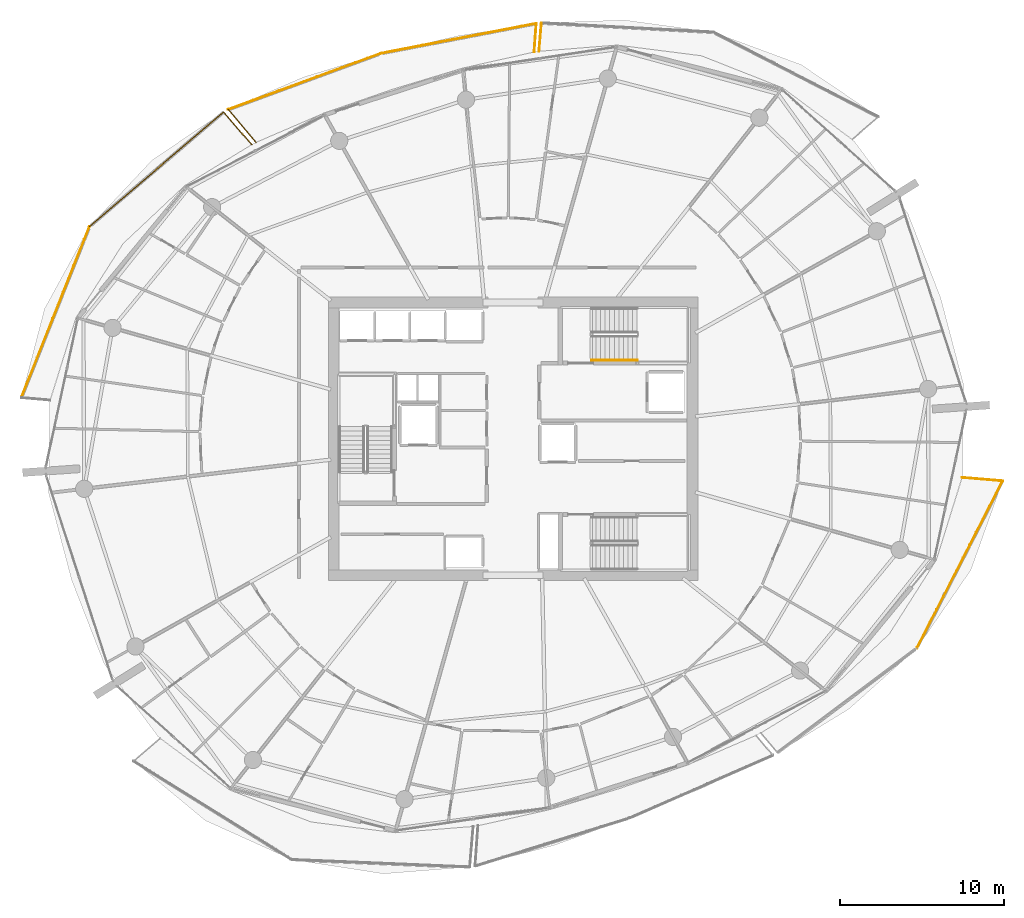
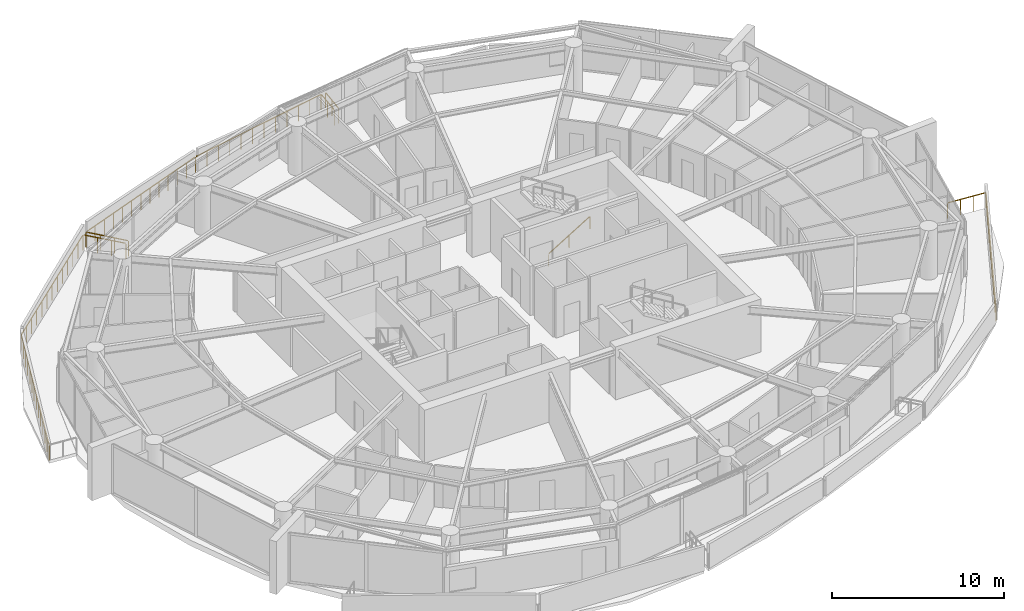
# One storey, part 20 of 21: 11 railings.
"""IFC4 building model written with IfcOpenShell, lengths in metres."""

from ifc_helpers import new_model, si_unit, direction, frame, origin, origin_2d, place, context, subcontext, project, spatial, rectangle, extrude, material, type_object, element, save


model = new_model("IFC4")

# Units and contexts
model_context = context("Model", 3, precision=1e-05, world=origin(), true_north=direction((0.0, 1.0)))
body_context = subcontext(model_context, "Body", "Model", "MODEL_VIEW")
ifc_project = project(units=[si_unit("LENGTHUNIT", "METRE"), si_unit("AREAUNIT", "SQUARE_METRE"), si_unit("VOLUMEUNIT", "CUBIC_METRE"), si_unit("PLANEANGLEUNIT", "RADIAN"), si_unit("MASSUNIT", "GRAM", prefix="KILO")], contexts=[model_context])

# Site, building, storey
site_placement = place(None, origin())
site = spatial("IfcSite", under=ifc_project, at=site_placement, CompositionType="ELEMENT")
building_placement = place(site_placement, origin())
building = spatial("IfcBuilding", under=site, at=building_placement, Name="Kazma Halo Residences", CompositionType="ELEMENT")
storey_placement = place(building_placement, frame((0.0, 0.0, 176.550048828125)))
storey = spatial("IfcBuildingStorey", under=building, at=storey_placement, Name="L44", CompositionType="ELEMENT", Elevation=176.550048828125)

# Railings
ifc_material_1 = material(Name="Aluminium AW-6063 T6 Brushed Cap Rail", Category="aluminium")
railing_type_1 = type_object("IfcRailingType", Name="RLG-BAL-CAP-1120", PredefinedType="BALUSTRADE", material=ifc_material_1)
railing_1_placement = place(storey_placement, frame((50.15380859375, 67.384521484375, 0.0)))
element("IfcRailing", 1, at=railing_1_placement, inside=storey, type_object=railing_type_1, Name="L44 NE wave balcony guard 4", PredefinedType="BALUSTRADE", context=body_context, shape_type="SweptSolid", body=[
    extrude(rectangle(XDim=0.050048828125, YDim=0.050048828125, at=origin_2d()), frame((-0.003662109375, -0.04248046875, 1.09521484375), z_axis=(-0.084582809101, -0.996416453299, 0.0), x_axis=(0.996416453299, -0.084582809101, 0.0)), (0.0, 0.0, 1.0), 1.649658203125),
    extrude(rectangle(XDim=0.0400390625, YDim=0.0400390625, at=origin_2d()), origin(), (0.0, 0.0, 1.0), 1.05810546875),
    extrude(rectangle(XDim=0.0400390625, YDim=0.0400390625, at=origin_2d()), frame((-0.0732421875, -0.8642578125, 0.0)), (0.0, 0.0, 1.0), 1.05810546875),
    extrude(rectangle(XDim=0.0400390625, YDim=0.0400390625, at=origin_2d()), frame((-0.146728515625, -1.728515625, 0.0)), (0.0, 0.0, 1.0), 1.05810546875),
])
railing_2_placement = place(storey_placement, frame((49.713134765625, 65.612060546875, 0.0)))
element("IfcRailing", 2, at=railing_2_placement, inside=storey, type_object=railing_type_1, Name="L44 NNW wave balcony guard 1", PredefinedType="BALUSTRADE", context=body_context, shape_type="SweptSolid", body=[
    extrude(rectangle(XDim=0.050048828125, YDim=0.050048828125, at=origin_2d()), frame((0.003173828125, 0.04248046875, 1.09521484375), z_axis=(0.072381236499, 0.997377038337, 0.0), x_axis=(-0.997377038337, 0.072381236499, 0.0)), (0.0, 0.0, 1.0), 1.65869140625),
    extrude(rectangle(XDim=0.0400390625, YDim=0.0400390625, at=origin_2d()), origin(), (0.0, 0.0, 1.0), 1.05810546875),
    extrude(rectangle(XDim=0.0400390625, YDim=0.0400390625, at=origin_2d()), frame((0.06298828125, 0.86962890625, 0.0)), (0.0, 0.0, 1.0), 1.05810546875),
    extrude(rectangle(XDim=0.0400390625, YDim=0.0400390625, at=origin_2d()), frame((0.126220703125, 1.7392578125, 0.0)), (0.0, 0.0, 1.0), 1.05810546875),
])
railing_3_placement = place(storey_placement, frame((49.83935546875, 67.351318359375, 0.0)))
element("IfcRailing", 3, at=railing_3_placement, inside=storey, type_object=railing_type_1, Name="L44 NNW wave balcony guard 2", PredefinedType="BALUSTRADE", context=body_context, shape_type="SweptSolid", body=[
    extrude(rectangle(XDim=0.050048828125, YDim=0.050048828125, at=origin_2d()), frame((-0.041748046875, -0.008056640625, 1.09521484375), z_axis=(-0.981918343352, -0.189304957647, 0.0), x_axis=(0.189304957647, -0.981918343352, 0.0)), (0.0, 0.0, 1.0), 9.572021484375),
    extrude(rectangle(XDim=0.0400390625, YDim=0.0400390625, at=origin_2d()), origin(), (0.0, 0.0, 1.0), 1.05810546875),
    extrude(rectangle(XDim=0.0400390625, YDim=0.0400390625, at=origin_2d()), frame((-0.862060546875, -0.166259765625, 0.0)), (0.0, 0.0, 1.0), 1.05810546875),
    extrude(rectangle(XDim=0.0400390625, YDim=0.0400390625, at=origin_2d()), frame((-1.72412109375, -0.332275390625, 0.0)), (0.0, 0.0, 1.0), 1.05810546875),
    extrude(rectangle(XDim=0.0400390625, YDim=0.0400390625, at=origin_2d()), frame((-2.586181640625, -0.49853515625, 0.0)), (0.0, 0.0, 1.0), 1.05810546875),
    extrude(rectangle(XDim=0.0400390625, YDim=0.0400390625, at=origin_2d()), frame((-3.4482421875, -0.664794921875, 0.0)), (0.0, 0.0, 1.0), 1.05810546875),
    extrude(rectangle(XDim=0.0400390625, YDim=0.0400390625, at=origin_2d()), frame((-4.310302734375, -0.8310546875, 0.0)), (0.0, 0.0, 1.0), 1.05810546875),
    extrude(rectangle(XDim=0.0400390625, YDim=0.0400390625, at=origin_2d()), frame((-5.172119140625, -0.9970703125, 0.0)), (0.0, 0.0, 1.0), 1.05810546875),
    extrude(rectangle(XDim=0.0400390625, YDim=0.0400390625, at=origin_2d()), frame((-6.0341796875, -1.163330078125, 0.0)), (0.0, 0.0, 1.0), 1.05810546875),
    extrude(rectangle(XDim=0.0400390625, YDim=0.0400390625, at=origin_2d()), frame((-6.896240234375, -1.32958984375, 0.0)), (0.0, 0.0, 1.0), 1.05810546875),
    extrude(rectangle(XDim=0.0400390625, YDim=0.0400390625, at=origin_2d()), frame((-7.75830078125, -1.495849609375, 0.0)), (0.0, 0.0, 1.0), 1.05810546875),
    extrude(rectangle(XDim=0.0400390625, YDim=0.0400390625, at=origin_2d()), frame((-8.620361328125, -1.661865234375, 0.0)), (0.0, 0.0, 1.0), 1.05810546875),
    extrude(rectangle(XDim=0.0400390625, YDim=0.0400390625, at=origin_2d()), frame((-9.482421875, -1.828125, 0.0)), (0.0, 0.0, 1.0), 1.05810546875),
])
railing_4_placement = place(storey_placement, frame((40.35693359375, 65.523193359375, 0.0)))
element("IfcRailing", 4, at=railing_4_placement, inside=storey, type_object=railing_type_1, Name="L44 NNW wave balcony guard 3", PredefinedType="BALUSTRADE", context=body_context, shape_type="SweptSolid", body=[
    extrude(rectangle(XDim=0.050048828125, YDim=0.050048828125, at=origin_2d()), frame((-0.0400390625, -0.0146484375, 1.09521484375), z_axis=(-0.938664070995, -0.344832947706, 0.0), x_axis=(0.344832947706, -0.938664070995, 0.0)), (0.0, 0.0, 1.0), 9.83740234375),
    extrude(rectangle(XDim=0.0400390625, YDim=0.0400390625, at=origin_2d()), origin(), (0.0, 0.0, 1.0), 1.05810546875),
    extrude(rectangle(XDim=0.0400390625, YDim=0.0400390625, at=origin_2d()), frame((-0.776123046875, -0.28515625, 0.0)), (0.0, 0.0, 1.0), 1.05810546875),
    extrude(rectangle(XDim=0.0400390625, YDim=0.0400390625, at=origin_2d()), frame((-1.55224609375, -0.5703125, 0.0)), (0.0, 0.0, 1.0), 1.05810546875),
    extrude(rectangle(XDim=0.0400390625, YDim=0.0400390625, at=origin_2d()), frame((-2.32861328125, -0.85546875, 0.0)), (0.0, 0.0, 1.0), 1.05810546875),
    extrude(rectangle(XDim=0.0400390625, YDim=0.0400390625, at=origin_2d()), frame((-3.104736328125, -1.140625, 0.0)), (0.0, 0.0, 1.0), 1.05810546875),
    extrude(rectangle(XDim=0.0400390625, YDim=0.0400390625, at=origin_2d()), frame((-3.880859375, -1.42578125, 0.0)), (0.0, 0.0, 1.0), 1.05810546875),
    extrude(rectangle(XDim=0.0400390625, YDim=0.0400390625, at=origin_2d()), frame((-4.656982421875, -1.7109375, 0.0)), (0.0, 0.0, 1.0), 1.05810546875),
    extrude(rectangle(XDim=0.0400390625, YDim=0.0400390625, at=origin_2d()), frame((-5.43310546875, -1.995849609375, 0.0)), (0.0, 0.0, 1.0), 1.05810546875),
    extrude(rectangle(XDim=0.0400390625, YDim=0.0400390625, at=origin_2d()), frame((-6.209228515625, -2.281005859375, 0.0)), (0.0, 0.0, 1.0), 1.05810546875),
    extrude(rectangle(XDim=0.0400390625, YDim=0.0400390625, at=origin_2d()), frame((-6.9853515625, -2.566162109375, 0.0)), (0.0, 0.0, 1.0), 1.05810546875),
    extrude(rectangle(XDim=0.0400390625, YDim=0.0400390625, at=origin_2d()), frame((-7.76171875, -2.851318359375, 0.0)), (0.0, 0.0, 1.0), 1.05810546875),
    extrude(rectangle(XDim=0.0400390625, YDim=0.0400390625, at=origin_2d()), frame((-8.537841796875, -3.136474609375, 0.0)), (0.0, 0.0, 1.0), 1.05810546875),
    extrude(rectangle(XDim=0.0400390625, YDim=0.0400390625, at=origin_2d()), frame((-9.31396484375, -3.421630859375, 0.0)), (0.0, 0.0, 1.0), 1.05810546875),
])
railing_5_placement = place(storey_placement, frame((31.04296875, 62.1015625, 0.0)))
element("IfcRailing", 5, at=railing_5_placement, inside=storey, type_object=railing_type_1, Name="L44 NNW wave balcony guard 4", PredefinedType="BALUSTRADE", context=body_context, shape_type="SweptSolid", body=[
    extrude(rectangle(XDim=0.050048828125, YDim=0.050048828125, at=origin_2d()), frame((0.02734375, -0.032470703125, 1.09521484375), z_axis=(0.644757158035, -0.764387471877, 0.0), x_axis=(0.764387471877, 0.644757158035, 0.0)), (0.0, 0.0, 1.0), 2.539306640625),
    extrude(rectangle(XDim=0.0400390625, YDim=0.0400390625, at=origin_2d()), origin(), (0.0, 0.0, 1.0), 1.05810546875),
    extrude(rectangle(XDim=0.0400390625, YDim=0.0400390625, at=origin_2d()), frame((0.56396484375, -0.668701171875, 0.0)), (0.0, 0.0, 1.0), 1.05810546875),
    extrude(rectangle(XDim=0.0400390625, YDim=0.0400390625, at=origin_2d()), frame((1.128173828125, -1.33740234375, 0.0)), (0.0, 0.0, 1.0), 1.05810546875),
    extrude(rectangle(XDim=0.0400390625, YDim=0.0400390625, at=origin_2d()), frame((1.692138671875, -2.006103515625, 0.0)), (0.0, 0.0, 1.0), 1.05810546875),
])
railing_6_placement = place(storey_placement, frame((32.471435546875, 59.958251953125, 0.0)))
element("IfcRailing", 6, at=railing_6_placement, inside=storey, type_object=railing_type_1, Name="L44 NW wave balcony guard 1", PredefinedType="BALUSTRADE", context=body_context, shape_type="SweptSolid", body=[
    extrude(rectangle(XDim=0.050048828125, YDim=0.050048828125, at=origin_2d()), frame((-0.02783203125, 0.0322265625, 1.09521484375), z_axis=(-0.654088758008, 0.756417805612, 0.0), x_axis=(-0.756417805612, -0.654088758008, 0.0)), (0.0, 0.0, 1.0), 2.544189453125),
    extrude(rectangle(XDim=0.0400390625, YDim=0.0400390625, at=origin_2d()), origin(), (0.0, 0.0, 1.0), 1.05810546875),
    extrude(rectangle(XDim=0.0400390625, YDim=0.0400390625, at=origin_2d()), frame((-0.5732421875, 0.662841796875, 0.0)), (0.0, 0.0, 1.0), 1.05810546875),
    extrude(rectangle(XDim=0.0400390625, YDim=0.0400390625, at=origin_2d()), frame((-1.146484375, 1.325927734375, 0.0)), (0.0, 0.0, 1.0), 1.05810546875),
    extrude(rectangle(XDim=0.0400390625, YDim=0.0400390625, at=origin_2d()), frame((-1.7197265625, 1.98876953125, 0.0)), (0.0, 0.0, 1.0), 1.05810546875),
])
railing_7_placement = place(storey_placement, frame((30.751708984375, 61.947021484375, 0.0)))
element("IfcRailing", 7, at=railing_7_placement, inside=storey, type_object=railing_type_1, Name="L44 NW wave balcony guard 2", PredefinedType="BALUSTRADE", context=body_context, shape_type="SweptSolid", body=[
    extrude(rectangle(XDim=0.050048828125, YDim=0.050048828125, at=origin_2d()), frame((-0.0322265625, -0.027587890625, 1.09521484375), z_axis=(-0.760234299522, -0.64964898971, 0.0), x_axis=(0.64964898971, -0.760234299522, 0.0)), (0.0, 0.0, 1.0), 10.67529296875),
    extrude(rectangle(XDim=0.0400390625, YDim=0.0400390625, at=origin_2d()), origin(), (0.0, 0.0, 1.0), 1.05810546875),
    extrude(rectangle(XDim=0.0400390625, YDim=0.0400390625, at=origin_2d()), frame((-0.681640625, -0.58251953125, 0.0)), (0.0, 0.0, 1.0), 1.05810546875),
    extrude(rectangle(XDim=0.0400390625, YDim=0.0400390625, at=origin_2d()), frame((-1.36328125, -1.1650390625, 0.0)), (0.0, 0.0, 1.0), 1.05810546875),
    extrude(rectangle(XDim=0.0400390625, YDim=0.0400390625, at=origin_2d()), frame((-2.045166015625, -1.74755859375, 0.0)), (0.0, 0.0, 1.0), 1.05810546875),
    extrude(rectangle(XDim=0.0400390625, YDim=0.0400390625, at=origin_2d()), frame((-2.726806640625, -2.330078125, 0.0)), (0.0, 0.0, 1.0), 1.05810546875),
    extrude(rectangle(XDim=0.0400390625, YDim=0.0400390625, at=origin_2d()), frame((-3.408447265625, -2.91259765625, 0.0)), (0.0, 0.0, 1.0), 1.05810546875),
    extrude(rectangle(XDim=0.0400390625, YDim=0.0400390625, at=origin_2d()), frame((-4.09033203125, -3.4951171875, 0.0)), (0.0, 0.0, 1.0), 1.05810546875),
    extrude(rectangle(XDim=0.0400390625, YDim=0.0400390625, at=origin_2d()), frame((-4.77197265625, -4.077880859375, 0.0)), (0.0, 0.0, 1.0), 1.05810546875),
    extrude(rectangle(XDim=0.0400390625, YDim=0.0400390625, at=origin_2d()), frame((-5.45361328125, -4.660400390625, 0.0)), (0.0, 0.0, 1.0), 1.05810546875),
    extrude(rectangle(XDim=0.0400390625, YDim=0.0400390625, at=origin_2d()), frame((-6.13525390625, -5.242919921875, 0.0)), (0.0, 0.0, 1.0), 1.05810546875),
    extrude(rectangle(XDim=0.0400390625, YDim=0.0400390625, at=origin_2d()), frame((-6.81689453125, -5.825439453125, 0.0)), (0.0, 0.0, 1.0), 1.05810546875),
    extrude(rectangle(XDim=0.0400390625, YDim=0.0400390625, at=origin_2d()), frame((-7.498779296875, -6.407958984375, 0.0)), (0.0, 0.0, 1.0), 1.05810546875),
    extrude(rectangle(XDim=0.0400390625, YDim=0.0400390625, at=origin_2d()), frame((-8.180419921875, -6.990478515625, 0.0)), (0.0, 0.0, 1.0), 1.05810546875),
])
railing_8_placement = place(storey_placement, frame((22.5712890625, 54.95654296875, 0.0)))
element("IfcRailing", 8, at=railing_8_placement, inside=storey, type_object=railing_type_1, Name="L44 NW wave balcony guard 3", PredefinedType="BALUSTRADE", context=body_context, shape_type="SweptSolid", body=[
    extrude(rectangle(XDim=0.050048828125, YDim=0.050048828125, at=origin_2d()), frame((-0.015625, -0.03955078125, 1.09521484375), z_axis=(-0.369783962807, -0.929117764791, 0.0), x_axis=(0.929117764791, -0.369783962807, 0.0)), (0.0, 0.0, 1.0), 11.157958984375),
    extrude(rectangle(XDim=0.0400390625, YDim=0.0400390625, at=origin_2d()), origin(), (0.0, 0.0, 1.0), 1.05810546875),
    extrude(rectangle(XDim=0.0400390625, YDim=0.0400390625, at=origin_2d()), frame((-0.31982421875, -0.803466796875, 0.0)), (0.0, 0.0, 1.0), 1.05810546875),
    extrude(rectangle(XDim=0.0400390625, YDim=0.0400390625, at=origin_2d()), frame((-0.6396484375, -1.607177734375, 0.0)), (0.0, 0.0, 1.0), 1.05810546875),
    extrude(rectangle(XDim=0.0400390625, YDim=0.0400390625, at=origin_2d()), frame((-0.95947265625, -2.41064453125, 0.0)), (0.0, 0.0, 1.0), 1.05810546875),
    extrude(rectangle(XDim=0.0400390625, YDim=0.0400390625, at=origin_2d()), frame((-1.279296875, -3.214111328125, 0.0)), (0.0, 0.0, 1.0), 1.05810546875),
    extrude(rectangle(XDim=0.0400390625, YDim=0.0400390625, at=origin_2d()), frame((-1.59912109375, -4.017822265625, 0.0)), (0.0, 0.0, 1.0), 1.05810546875),
    extrude(rectangle(XDim=0.0400390625, YDim=0.0400390625, at=origin_2d()), frame((-1.9189453125, -4.8212890625, 0.0)), (0.0, 0.0, 1.0), 1.05810546875),
    extrude(rectangle(XDim=0.0400390625, YDim=0.0400390625, at=origin_2d()), frame((-2.238525390625, -5.624755859375, 0.0)), (0.0, 0.0, 1.0), 1.05810546875),
    extrude(rectangle(XDim=0.0400390625, YDim=0.0400390625, at=origin_2d()), frame((-2.558349609375, -6.42822265625, 0.0)), (0.0, 0.0, 1.0), 1.05810546875),
    extrude(rectangle(XDim=0.0400390625, YDim=0.0400390625, at=origin_2d()), frame((-2.878173828125, -7.23193359375, 0.0)), (0.0, 0.0, 1.0), 1.05810546875),
    extrude(rectangle(XDim=0.0400390625, YDim=0.0400390625, at=origin_2d()), frame((-3.197998046875, -8.035400390625, 0.0)), (0.0, 0.0, 1.0), 1.05810546875),
    extrude(rectangle(XDim=0.0400390625, YDim=0.0400390625, at=origin_2d()), frame((-3.517822265625, -8.8388671875, 0.0)), (0.0, 0.0, 1.0), 1.05810546875),
    extrude(rectangle(XDim=0.0400390625, YDim=0.0400390625, at=origin_2d()), frame((-3.837646484375, -9.642578125, 0.0)), (0.0, 0.0, 1.0), 1.05810546875),
    extrude(rectangle(XDim=0.0400390625, YDim=0.0400390625, at=origin_2d()), frame((-4.157470703125, -10.446044921875, 0.0)), (0.0, 0.0, 1.0), 1.05810546875),
])
railing_9_placement = place(storey_placement, frame((73.073974609375, 29.22412109375, 0.0)))
element("IfcRailing", 9, at=railing_9_placement, inside=storey, type_object=railing_type_1, Name="L44 SE wave balcony guard 3", PredefinedType="BALUSTRADE", context=body_context, shape_type="SweptSolid", body=[
    extrude(rectangle(XDim=0.050048828125, YDim=0.050048828125, at=origin_2d()), frame((0.019287109375, 0.037841796875, 1.09521484375), z_axis=(0.456200806957, 0.889876858746, 0.0), x_axis=(-0.889876858746, 0.456200806957, 0.0)), (0.0, 0.0, 1.0), 11.38232421875),
    extrude(rectangle(XDim=0.0400390625, YDim=0.0400390625, at=origin_2d()), origin(), (0.0, 0.0, 1.0), 1.05810546875),
    extrude(rectangle(XDim=0.0400390625, YDim=0.0400390625, at=origin_2d()), frame((0.40234375, 0.784912109375, 0.0)), (0.0, 0.0, 1.0), 1.05810546875),
    extrude(rectangle(XDim=0.0400390625, YDim=0.0400390625, at=origin_2d()), frame((0.804931640625, 1.56982421875, 0.0)), (0.0, 0.0, 1.0), 1.05810546875),
    extrude(rectangle(XDim=0.0400390625, YDim=0.0400390625, at=origin_2d()), frame((1.207275390625, 2.35498046875, 0.0)), (0.0, 0.0, 1.0), 1.05810546875),
    extrude(rectangle(XDim=0.0400390625, YDim=0.0400390625, at=origin_2d()), frame((1.609619140625, 3.139892578125, 0.0)), (0.0, 0.0, 1.0), 1.05810546875),
    extrude(rectangle(XDim=0.0400390625, YDim=0.0400390625, at=origin_2d()), frame((2.01220703125, 3.9248046875, 0.0)), (0.0, 0.0, 1.0), 1.05810546875),
    extrude(rectangle(XDim=0.0400390625, YDim=0.0400390625, at=origin_2d()), frame((2.41455078125, 4.709716796875, 0.0)), (0.0, 0.0, 1.0), 1.05810546875),
    extrude(rectangle(XDim=0.0400390625, YDim=0.0400390625, at=origin_2d()), frame((2.81689453125, 5.494873046875, 0.0)), (0.0, 0.0, 1.0), 1.05810546875),
    extrude(rectangle(XDim=0.0400390625, YDim=0.0400390625, at=origin_2d()), frame((3.21923828125, 6.27978515625, 0.0)), (0.0, 0.0, 1.0), 1.05810546875),
    extrude(rectangle(XDim=0.0400390625, YDim=0.0400390625, at=origin_2d()), frame((3.621826171875, 7.064697265625, 0.0)), (0.0, 0.0, 1.0), 1.05810546875),
    extrude(rectangle(XDim=0.0400390625, YDim=0.0400390625, at=origin_2d()), frame((4.024169921875, 7.849609375, 0.0)), (0.0, 0.0, 1.0), 1.05810546875),
    extrude(rectangle(XDim=0.0400390625, YDim=0.0400390625, at=origin_2d()), frame((4.426513671875, 8.634765625, 0.0)), (0.0, 0.0, 1.0), 1.05810546875),
    extrude(rectangle(XDim=0.0400390625, YDim=0.0400390625, at=origin_2d()), frame((4.8291015625, 9.419677734375, 0.0)), (0.0, 0.0, 1.0), 1.05810546875),
    extrude(rectangle(XDim=0.0400390625, YDim=0.0400390625, at=origin_2d()), frame((5.2314453125, 10.20458984375, 0.0)), (0.0, 0.0, 1.0), 1.05810546875),
])
railing_10_placement = place(storey_placement, frame((78.305419921875, 39.4287109375, 0.0)))
element("IfcRailing", 10, at=railing_10_placement, inside=storey, type_object=railing_type_1, Name="L44 SE wave balcony guard 4", PredefinedType="BALUSTRADE", context=body_context, shape_type="SweptSolid", body=[
    extrude(rectangle(XDim=0.050048828125, YDim=0.050048828125, at=origin_2d()), frame((-0.04248046875, 0.003662109375, 1.09521484375), z_axis=(-0.996426620015, 0.084462955935, 0.0), x_axis=(-0.084462955935, -0.996426620015, 0.0)), (0.0, 0.0, 1.0), 2.39501953125),
    extrude(rectangle(XDim=0.0400390625, YDim=0.0400390625, at=origin_2d()), origin(), (0.0, 0.0, 1.0), 1.05810546875),
    extrude(rectangle(XDim=0.0400390625, YDim=0.0400390625, at=origin_2d()), frame((-0.82373046875, 0.06982421875, 0.0)), (0.0, 0.0, 1.0), 1.05810546875),
    extrude(rectangle(XDim=0.0400390625, YDim=0.0400390625, at=origin_2d()), frame((-1.6474609375, 0.1396484375, 0.0)), (0.0, 0.0, 1.0), 1.05810546875),
    extrude(rectangle(XDim=0.0400390625, YDim=0.0400390625, at=origin_2d()), frame((-2.47119140625, 0.20947265625, 0.0)), (0.0, 0.0, 1.0), 1.05810546875),
])
ifc_material_2 = material(Name="Brushed Stainless Steel", Category="steel")
railing_type_2 = type_object("IfcRailingType", Name="RLG-STAIR-HND-900", PredefinedType="HANDRAIL", material=ifc_material_2)
railing_11_placement = place(storey_placement, frame((53.199951171875, 46.800048828125, 0.17041015625)))
element("IfcRailing", 11, at=railing_11_placement, inside=storey, type_object=railing_type_2, Name="L44 ST-02 stair handrail 1", PredefinedType="HANDRAIL", context=body_context, shape_type="SweptSolid", body=[
    extrude(rectangle(XDim=0.050048828125, YDim=0.050048828125, at=origin_2d()), frame((0.036376953125, 0.0, 0.89697265625), z_axis=(0.854169791009, 0.0, 0.51999420009), x_axis=(0.0, 1.0, 0.0)), (0.0, 0.0, 1.0), 3.193115234375),
    extrude(rectangle(XDim=0.0400390625, YDim=0.0400390625, at=origin_2d()), origin(), (0.0, 0.0, 1.0), 0.837890625),
    extrude(rectangle(XDim=0.0400390625, YDim=0.0400390625, at=origin_2d()), frame((1.39990234375, 0.0, 0.852294921875)), (0.0, 0.0, 1.0), 0.837890625),
    extrude(rectangle(XDim=0.0400390625, YDim=0.0400390625, at=origin_2d()), frame((2.800048828125, 0.0, 1.70458984375)), (0.0, 0.0, 1.0), 0.837890625),
])

save(model, "model.ifc")
